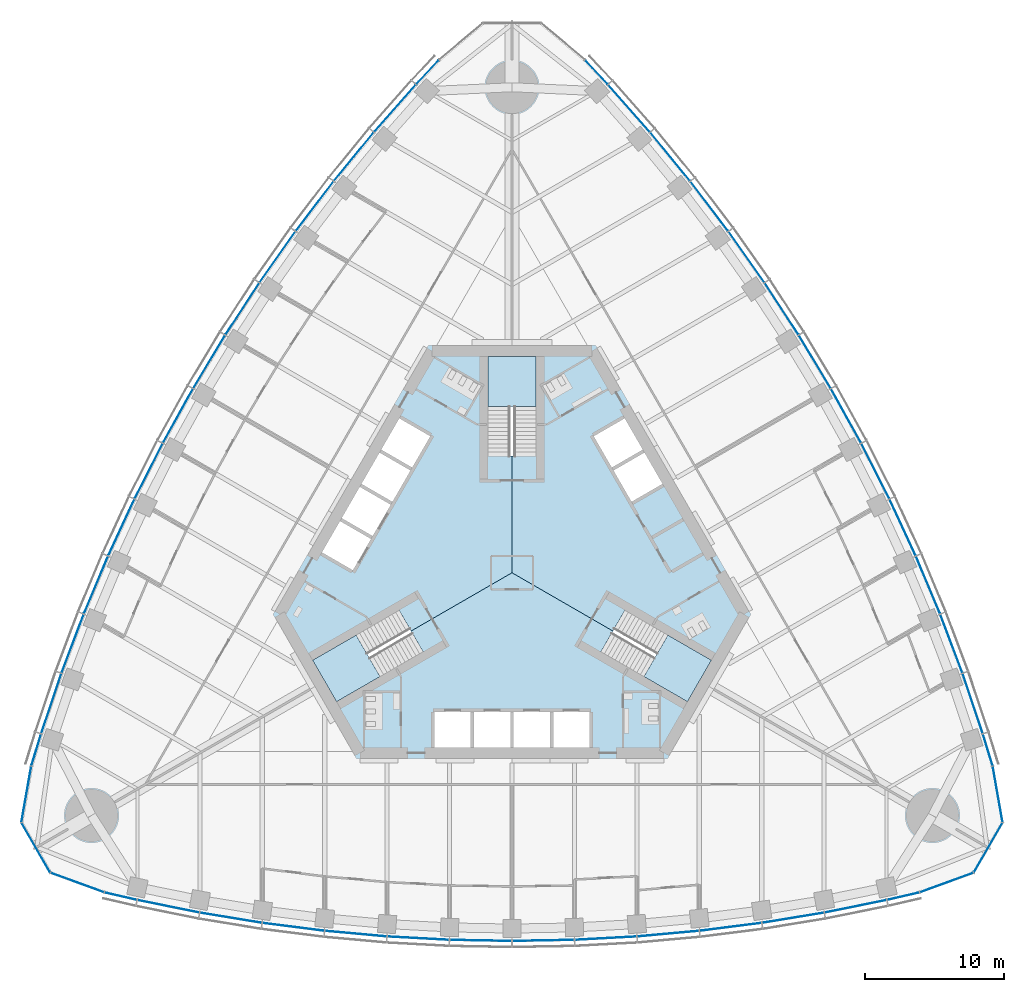
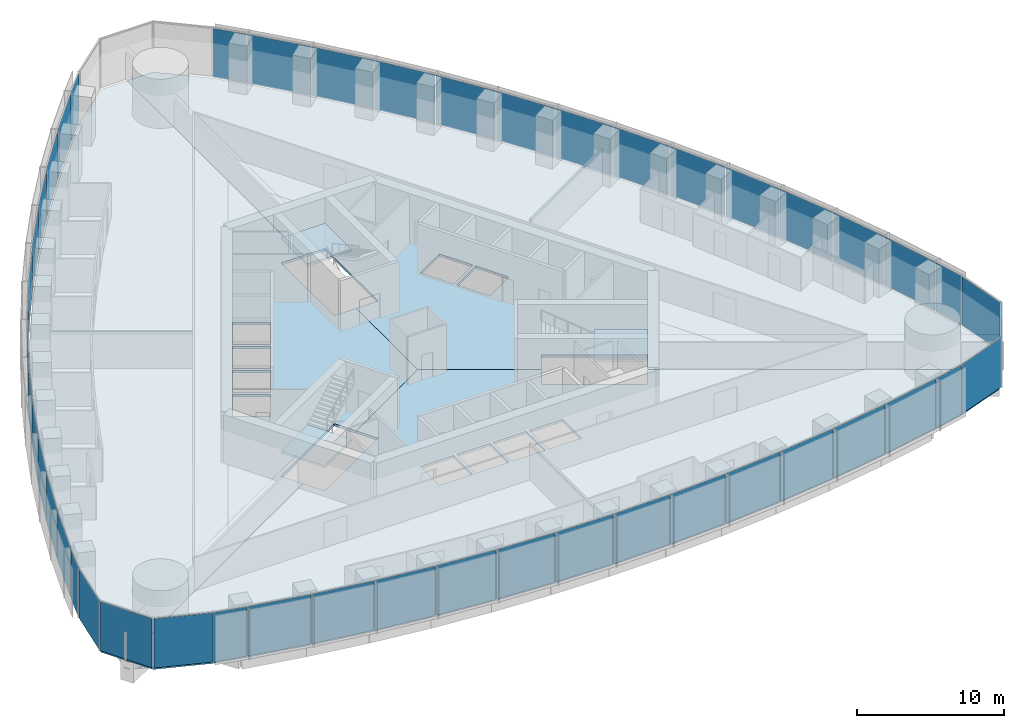
# One storey, part 10 of 19: 48 plates, 6 slabs, 8 elements without a shape of their own.
"""IFC4 building model written with IfcOpenShell, lengths in metres."""

from ifc_helpers import new_model, si_unit, direction, frame, origin, origin_2d, place, context, subcontext, project, spatial, polyline, rectangle, outline, extrude, material, layer, layer_set, type_object, element, aggregate, save


model = new_model("IFC4")

# Units and contexts
model_context = context("Model", 3, precision=1e-05, world=origin(), true_north=direction((0.0, 1.0)))
body_context = subcontext(model_context, "Body", "Model", "MODEL_VIEW")
ifc_project = project(units=[si_unit("LENGTHUNIT", "METRE"), si_unit("AREAUNIT", "SQUARE_METRE"), si_unit("VOLUMEUNIT", "CUBIC_METRE"), si_unit("PLANEANGLEUNIT", "RADIAN"), si_unit("MASSUNIT", "GRAM", prefix="KILO")], contexts=[model_context])

# Site, building, storey
site_placement = place(None, origin())
site = spatial("IfcSite", under=ifc_project, at=site_placement, CompositionType="ELEMENT")
building_placement = place(site_placement, origin())
building = spatial("IfcBuilding", under=site, at=building_placement, Name="Trefoil Bronze Tower", CompositionType="ELEMENT")
storey_placement = place(building_placement, frame((0.0, 0.0, 128.300048828125)))
storey = spatial("IfcBuildingStorey", under=building, at=storey_placement, Name="L29", CompositionType="ELEMENT", Elevation=128.300048828125)

# Curtain wall, plates
ifc_material_1 = material(Name="Tinted solar-control glass", Category="glass")
curtain_wall_type_1 = type_object("IfcCurtainWallType", Name="Bronze office curtain wall", PredefinedType="USERDEFINED", material=ifc_material_1)
curtain_wall_1_placement = place(storey_placement, origin())
curtain_wall_1 = element("IfcCurtainWall", 1, at=curtain_wall_1_placement, inside=storey, type_object=curtain_wall_type_1, Name="CW-A L29 F1", ObjectType="CURTAIN WALL", PredefinedType="USERDEFINED")
ifc_material_2 = material(Name="Tinted solar-control glass", Category="glass")
ifc_layer_1 = layer(ifc_material_2, 0.030029296875)
ifc_layer_set_1 = layer_set([ifc_layer_1], Name="Bronze office curtain wall glass panel")
plate_type_1 = type_object("IfcPlateType", Name="Bronze office curtain wall glass panel", PredefinedType="CURTAIN_PANEL", material=ifc_layer_set_1)
plate_1_placement = place(storey_placement, frame((-28.201416015625, -23.320068359375, 0.0), z_axis=(0.0, 0.0, 1.0), x_axis=(0.97420444715, -0.225667222151, 0.0)))
plate_1 = element("IfcPlate", 2, at=plate_1_placement, type_object=plate_type_1, Name="CW-A L29 F1 panel 1", PredefinedType="CURTAIN_PANEL", context=body_context, shape_type="SweptSolid", body=[
    extrude(rectangle(XDim=2.340087890625, YDim=0.030029296875, at=origin_2d()), origin(), (0.0, 0.0, 1.0), 4.080078125),
])
plate_2_placement = place(storey_placement, frame((-24.769775390625, -24.048828125, 0.0), z_axis=(0.0, 0.0, 1.0), x_axis=(0.980155155547, -0.198231861853, 0.0)))
plate_2 = element("IfcPlate", 3, at=plate_2_placement, type_object=plate_type_1, Name="CW-A L29 F1 panel 2", PredefinedType="CURTAIN_PANEL", context=body_context, shape_type="SweptSolid", body=[
    extrude(rectangle(XDim=4.51123046875, YDim=0.030029296875, at=origin_2d()), origin(), (0.0, 0.0, 1.0), 4.080078125),
])
plate_3_placement = place(storey_placement, frame((-20.26611328125, -24.87451171875, 0.0), z_axis=(0.0, 0.0, 1.0), x_axis=(0.986759655731, -0.162189339418, 0.0)))
plate_3 = element("IfcPlate", 4, at=plate_3_placement, type_object=plate_type_1, Name="CW-A L29 F1 panel 3", PredefinedType="CURTAIN_PANEL", context=body_context, shape_type="SweptSolid", body=[
    extrude(rectangle(XDim=4.48046875, YDim=0.030029296875, at=origin_2d()), origin(), (0.0, 0.0, 1.0), 4.080078125),
])
plate_4_placement = place(storey_placement, frame((-15.7626953125, -25.53076171875, 0.0), z_axis=(0.0, 0.0, 1.0), x_axis=(0.992011554286, -0.126147041833, 0.0)))
plate_4 = element("IfcPlate", 5, at=plate_4_placement, type_object=plate_type_1, Name="CW-A L29 F1 panel 4", PredefinedType="CURTAIN_PANEL", context=body_context, shape_type="SweptSolid", body=[
    extrude(rectangle(XDim=4.456298828125, YDim=0.030029296875, at=origin_2d()), origin(), (0.0, 0.0, 1.0), 4.080078125),
])
plate_5_placement = place(storey_placement, frame((-11.259033203125, -26.02099609375, 0.0), z_axis=(0.0, 0.0, 1.0), x_axis=(0.995932279146, -0.090104913044, 0.0)))
plate_5 = element("IfcPlate", 6, at=plate_5_placement, type_object=plate_type_1, Name="CW-A L29 F1 panel 5", PredefinedType="CURTAIN_PANEL", context=body_context, shape_type="SweptSolid", body=[
    extrude(rectangle(XDim=4.4384765625, YDim=0.030029296875, at=origin_2d()), origin(), (0.0, 0.0, 1.0), 4.080078125),
])
plate_6_placement = place(storey_placement, frame((-6.75537109375, -26.3466796875, 0.0), z_axis=(0.0, 0.0, 1.0), x_axis=(0.998537531923, -0.054062901701, 0.0)))
plate_6 = element("IfcPlate", 7, at=plate_6_placement, type_object=plate_type_1, Name="CW-A L29 F1 panel 6", PredefinedType="CURTAIN_PANEL", context=body_context, shape_type="SweptSolid", body=[
    extrude(rectangle(XDim=4.426513671875, YDim=0.030029296875, at=origin_2d()), origin(), (0.0, 0.0, 1.0), 4.080078125),
])
plate_7_placement = place(storey_placement, frame((-2.251708984375, -26.509033203125, 0.0), z_axis=(0.0, 0.0, 1.0), x_axis=(0.999837609322, -0.018020959612, 0.0)))
plate_7 = element("IfcPlate", 8, at=plate_7_placement, type_object=plate_type_1, Name="CW-A L29 F1 panel 7", PredefinedType="CURTAIN_PANEL", context=body_context, shape_type="SweptSolid", body=[
    extrude(rectangle(XDim=4.420654296875, YDim=0.030029296875, at=origin_2d()), origin(), (0.0, 0.0, 1.0), 4.080078125),
])
plate_8_placement = place(storey_placement, frame((2.251708984375, -26.509033203125, 0.0), z_axis=(0.0, 0.0, 1.0), x_axis=(0.999837609322, 0.018020959612, 0.0)))
plate_8 = element("IfcPlate", 9, at=plate_8_placement, type_object=plate_type_1, Name="CW-A L29 F1 panel 8", PredefinedType="CURTAIN_PANEL", context=body_context, shape_type="SweptSolid", body=[
    extrude(rectangle(XDim=4.420654296875, YDim=0.030029296875, at=origin_2d()), origin(), (0.0, 0.0, 1.0), 4.080078125),
])
plate_9_placement = place(storey_placement, frame((6.75537109375, -26.3466796875, 0.0), z_axis=(0.0, 0.0, 1.0), x_axis=(0.998537531923, 0.054062901701, 0.0)))
plate_9 = element("IfcPlate", 10, at=plate_9_placement, type_object=plate_type_1, Name="CW-A L29 F1 panel 9", PredefinedType="CURTAIN_PANEL", context=body_context, shape_type="SweptSolid", body=[
    extrude(rectangle(XDim=4.426513671875, YDim=0.030029296875, at=origin_2d()), origin(), (0.0, 0.0, 1.0), 4.080078125),
])
plate_10_placement = place(storey_placement, frame((11.259033203125, -26.02099609375, 0.0), z_axis=(0.0, 0.0, 1.0), x_axis=(0.995932279146, 0.090104913044, 0.0)))
plate_10 = element("IfcPlate", 11, at=plate_10_placement, type_object=plate_type_1, Name="CW-A L29 F1 panel 10", PredefinedType="CURTAIN_PANEL", context=body_context, shape_type="SweptSolid", body=[
    extrude(rectangle(XDim=4.4384765625, YDim=0.030029296875, at=origin_2d()), origin(), (0.0, 0.0, 1.0), 4.080078125),
])
plate_11_placement = place(storey_placement, frame((15.7626953125, -25.53076171875, 0.0), z_axis=(0.0, 0.0, 1.0), x_axis=(0.992011554286, 0.126147041833, 0.0)))
plate_11 = element("IfcPlate", 12, at=plate_11_placement, type_object=plate_type_1, Name="CW-A L29 F1 panel 11", PredefinedType="CURTAIN_PANEL", context=body_context, shape_type="SweptSolid", body=[
    extrude(rectangle(XDim=4.456298828125, YDim=0.030029296875, at=origin_2d()), origin(), (0.0, 0.0, 1.0), 4.080078125),
])
plate_12_placement = place(storey_placement, frame((20.26611328125, -24.87451171875, 0.0), z_axis=(0.0, 0.0, 1.0), x_axis=(0.986759655731, 0.162189339418, 0.0)))
plate_12 = element("IfcPlate", 13, at=plate_12_placement, type_object=plate_type_1, Name="CW-A L29 F1 panel 12", PredefinedType="CURTAIN_PANEL", context=body_context, shape_type="SweptSolid", body=[
    extrude(rectangle(XDim=4.48046875, YDim=0.030029296875, at=origin_2d()), origin(), (0.0, 0.0, 1.0), 4.080078125),
])
plate_13_placement = place(storey_placement, frame((24.769775390625, -24.048828125, 0.0), z_axis=(0.0, 0.0, 1.0), x_axis=(0.980155155547, 0.198231861853, 0.0)))
plate_13 = element("IfcPlate", 14, at=plate_13_placement, type_object=plate_type_1, Name="CW-A L29 F1 panel 13", PredefinedType="CURTAIN_PANEL", context=body_context, shape_type="SweptSolid", body=[
    extrude(rectangle(XDim=4.51123046875, YDim=0.030029296875, at=origin_2d()), origin(), (0.0, 0.0, 1.0), 4.080078125),
])
plate_14_placement = place(storey_placement, frame((28.201416015625, -23.320068359375, 0.0), z_axis=(0.0, 0.0, 1.0), x_axis=(0.97420444715, 0.225667222151, 0.0)))
plate_14 = element("IfcPlate", 15, at=plate_14_placement, type_object=plate_type_1, Name="CW-A L29 F1 panel 14", PredefinedType="CURTAIN_PANEL", context=body_context, shape_type="SweptSolid", body=[
    extrude(rectangle(XDim=2.340087890625, YDim=0.030029296875, at=origin_2d()), origin(), (0.0, 0.0, 1.0), 4.080078125),
])
aggregate(curtain_wall_1, [plate_1, plate_2, plate_3, plate_4, plate_5, plate_6, plate_7, plate_8, plate_9, plate_10, plate_11, plate_12, plate_13, plate_14])

curtain_wall_2_placement = place(storey_placement, origin())
curtain_wall_2 = element("IfcCurtainWall", 16, at=curtain_wall_2_placement, inside=storey, type_object=curtain_wall_type_1, Name="CW-A L29 F2", ObjectType="CURTAIN WALL", PredefinedType="USERDEFINED")
plate_15_placement = place(storey_placement, frame((34.296630859375, -12.762939453125, 0.0), z_axis=(0.0, 0.0, 1.0), x_axis=(-0.291668676391, 0.956519410787, 0.0)))
plate_15 = element("IfcPlate", 17, at=plate_15_placement, type_object=plate_type_1, Name="CW-A L29 F2 panel 1", PredefinedType="CURTAIN_PANEL", context=body_context, shape_type="SweptSolid", body=[
    extrude(rectangle(XDim=2.340087890625, YDim=0.030029296875, at=origin_2d()), origin(), (0.0, 0.0, 1.0), 4.080078125),
])
plate_16_placement = place(storey_placement, frame((33.2119140625, -9.4267578125, 0.0), z_axis=(0.0, 0.0, 1.0), x_axis=(-0.318403749569, 0.947955195281, 0.0)))
plate_16 = element("IfcPlate", 18, at=plate_16_placement, type_object=plate_type_1, Name="CW-A L29 F2 panel 2", PredefinedType="CURTAIN_PANEL", context=body_context, shape_type="SweptSolid", body=[
    extrude(rectangle(XDim=4.51123046875, YDim=0.030029296875, at=origin_2d()), origin(), (0.0, 0.0, 1.0), 4.080078125),
])
plate_17_placement = place(storey_placement, frame((31.675048828125, -5.11376953125, 0.0), z_axis=(0.0, 0.0, 1.0), x_axis=(-0.352919739707, 0.935653599002, 0.0)))
plate_17 = element("IfcPlate", 19, at=plate_17_placement, type_object=plate_type_1, Name="CW-A L29 F2 panel 3", PredefinedType="CURTAIN_PANEL", context=body_context, shape_type="SweptSolid", body=[
    extrude(rectangle(XDim=4.48046875, YDim=0.030029296875, at=origin_2d()), origin(), (0.0, 0.0, 1.0), 4.080078125),
])
plate_18_placement = place(storey_placement, frame((29.99169921875, -0.885498046875, 0.0), z_axis=(0.0, 0.0, 1.0), x_axis=(-0.386759234303, 0.922180727776, 0.0)))
plate_18 = element("IfcPlate", 20, at=plate_18_placement, type_object=plate_type_1, Name="CW-A L29 F2 panel 4", PredefinedType="CURTAIN_PANEL", context=body_context, shape_type="SweptSolid", body=[
    extrude(rectangle(XDim=4.456298828125, YDim=0.030029296875, at=origin_2d()), origin(), (0.0, 0.0, 1.0), 4.080078125),
])
plate_19_placement = place(storey_placement, frame((28.164306640625, 3.260009765625, 0.0), z_axis=(0.0, 0.0, 1.0), x_axis=(-0.419932995871, 0.907555110712, 0.0)))
plate_19 = element("IfcPlate", 21, at=plate_19_placement, type_object=plate_type_1, Name="CW-A L29 F2 panel 5", PredefinedType="CURTAIN_PANEL", context=body_context, shape_type="SweptSolid", body=[
    extrude(rectangle(XDim=4.4384765625, YDim=0.030029296875, at=origin_2d()), origin(), (0.0, 0.0, 1.0), 4.080078125),
])
plate_20_placement = place(storey_placement, frame((26.194580078125, 7.322998046875, 0.0), z_axis=(0.0, 0.0, 1.0), x_axis=(-0.452448919686, 0.891790320128, 0.0)))
plate_20 = element("IfcPlate", 22, at=plate_20_placement, type_object=plate_type_1, Name="CW-A L29 F2 panel 6", PredefinedType="CURTAIN_PANEL", context=body_context, shape_type="SweptSolid", body=[
    extrude(rectangle(XDim=4.426513671875, YDim=0.030029296875, at=origin_2d()), origin(), (0.0, 0.0, 1.0), 4.080078125),
])
plate_21_placement = place(storey_placement, frame((24.08349609375, 11.304443359375, 0.0), z_axis=(0.0, 0.0, 1.0), x_axis=(-0.484312195836, 0.874895249138, 0.0)))
plate_21 = element("IfcPlate", 23, at=plate_21_placement, type_object=plate_type_1, Name="CW-A L29 F2 panel 7", PredefinedType="CURTAIN_PANEL", context=body_context, shape_type="SweptSolid", body=[
    extrude(rectangle(XDim=4.420654296875, YDim=0.030029296875, at=origin_2d()), origin(), (0.0, 0.0, 1.0), 4.080078125),
])
plate_22_placement = place(storey_placement, frame((21.83154296875, 15.20458984375, 0.0), z_axis=(0.0, 0.0, 1.0), x_axis=(-0.515525413486, 0.856874289526, 0.0)))
plate_22 = element("IfcPlate", 24, at=plate_22_placement, type_object=plate_type_1, Name="CW-A L29 F2 panel 8", PredefinedType="CURTAIN_PANEL", context=body_context, shape_type="SweptSolid", body=[
    extrude(rectangle(XDim=4.420654296875, YDim=0.030029296875, at=origin_2d()), origin(), (0.0, 0.0, 1.0), 4.080078125),
])
plate_23_placement = place(storey_placement, frame((19.439208984375, 19.023681640625, 0.0), z_axis=(0.0, 0.0, 1.0), x_axis=(-0.546088612237, 0.837727418427, 0.0)))
plate_23 = element("IfcPlate", 25, at=plate_23_placement, type_object=plate_type_1, Name="CW-A L29 F2 panel 9", PredefinedType="CURTAIN_PANEL", context=body_context, shape_type="SweptSolid", body=[
    extrude(rectangle(XDim=4.426513671875, YDim=0.030029296875, at=origin_2d()), origin(), (0.0, 0.0, 1.0), 4.080078125),
])
plate_24_placement = place(storey_placement, frame((16.9052734375, 22.760986328125, 0.0), z_axis=(0.0, 0.0, 1.0), x_axis=(-0.575999283275, 0.817450197667, 0.0)))
plate_24 = element("IfcPlate", 26, at=plate_24_placement, type_object=plate_type_1, Name="CW-A L29 F2 panel 10", PredefinedType="CURTAIN_PANEL", context=body_context, shape_type="SweptSolid", body=[
    extrude(rectangle(XDim=4.4384765625, YDim=0.030029296875, at=origin_2d()), origin(), (0.0, 0.0, 1.0), 4.080078125),
])
plate_25_placement = place(storey_placement, frame((14.22900390625, 26.416259765625, 0.0), z_axis=(0.0, 0.0, 1.0), x_axis=(-0.605252319983, 0.796033685943, 0.0)))
plate_25 = element("IfcPlate", 27, at=plate_25_placement, type_object=plate_type_1, Name="CW-A L29 F2 panel 11", PredefinedType="CURTAIN_PANEL", context=body_context, shape_type="SweptSolid", body=[
    extrude(rectangle(XDim=4.456298828125, YDim=0.030029296875, at=origin_2d()), origin(), (0.0, 0.0, 1.0), 4.080078125),
])
plate_26_placement = place(storey_placement, frame((11.40869140625, 29.98828125, 0.0), z_axis=(0.0, 0.0, 1.0), x_axis=(-0.633839916024, 0.773464259584, 0.0)))
plate_26 = element("IfcPlate", 28, at=plate_26_placement, type_object=plate_type_1, Name="CW-A L29 F2 panel 12", PredefinedType="CURTAIN_PANEL", context=body_context, shape_type="SweptSolid", body=[
    extrude(rectangle(XDim=4.48046875, YDim=0.030029296875, at=origin_2d()), origin(), (0.0, 0.0, 1.0), 4.080078125),
])
plate_27_placement = place(storey_placement, frame((8.442138671875, 33.475830078125, 0.0), z_axis=(0.0, 0.0, 1.0), x_axis=(-0.661751405978, 0.749723333428, 0.0)))
plate_27 = element("IfcPlate", 29, at=plate_27_placement, type_object=plate_type_1, Name="CW-A L29 F2 panel 13", PredefinedType="CURTAIN_PANEL", context=body_context, shape_type="SweptSolid", body=[
    extrude(rectangle(XDim=4.51123046875, YDim=0.030029296875, at=origin_2d()), origin(), (0.0, 0.0, 1.0), 4.080078125),
])
plate_28_placement = place(storey_placement, frame((6.09521484375, 36.083251953125, 0.0), z_axis=(0.0, 0.0, 1.0), x_axis=(-0.682535770759, 0.730852188636, 0.0)))
plate_28 = element("IfcPlate", 30, at=plate_28_placement, type_object=plate_type_1, Name="CW-A L29 F2 panel 14", PredefinedType="CURTAIN_PANEL", context=body_context, shape_type="SweptSolid", body=[
    extrude(rectangle(XDim=2.340087890625, YDim=0.030029296875, at=origin_2d()), origin(), (0.0, 0.0, 1.0), 4.080078125),
])
aggregate(curtain_wall_2, [plate_15, plate_16, plate_17, plate_18, plate_19, plate_20, plate_21, plate_22, plate_23, plate_24, plate_25, plate_26, plate_27, plate_28])

curtain_wall_3_placement = place(storey_placement, origin())
curtain_wall_3 = element("IfcCurtainWall", 31, at=curtain_wall_3_placement, inside=storey, type_object=curtain_wall_type_1, Name="CW-A L29 F3", ObjectType="CURTAIN WALL", PredefinedType="USERDEFINED")
plate_29_placement = place(storey_placement, frame((-6.09521484375, 36.083251953125, 0.0), z_axis=(0.0, 0.0, 1.0), x_axis=(-0.682535770759, -0.730852188636, 0.0)))
plate_29 = element("IfcPlate", 32, at=plate_29_placement, type_object=plate_type_1, Name="CW-A L29 F3 panel 1", PredefinedType="CURTAIN_PANEL", context=body_context, shape_type="SweptSolid", body=[
    extrude(rectangle(XDim=2.340087890625, YDim=0.030029296875, at=origin_2d()), origin(), (0.0, 0.0, 1.0), 4.080078125),
])
plate_30_placement = place(storey_placement, frame((-8.442138671875, 33.475830078125, 0.0), z_axis=(0.0, 0.0, 1.0), x_axis=(-0.661751405978, -0.749723333428, 0.0)))
plate_30 = element("IfcPlate", 33, at=plate_30_placement, type_object=plate_type_1, Name="CW-A L29 F3 panel 2", PredefinedType="CURTAIN_PANEL", context=body_context, shape_type="SweptSolid", body=[
    extrude(rectangle(XDim=4.51123046875, YDim=0.030029296875, at=origin_2d()), origin(), (0.0, 0.0, 1.0), 4.080078125),
])
plate_31_placement = place(storey_placement, frame((-11.40869140625, 29.98828125, 0.0), z_axis=(0.0, 0.0, 1.0), x_axis=(-0.633839916024, -0.773464259584, 0.0)))
plate_31 = element("IfcPlate", 34, at=plate_31_placement, type_object=plate_type_1, Name="CW-A L29 F3 panel 3", PredefinedType="CURTAIN_PANEL", context=body_context, shape_type="SweptSolid", body=[
    extrude(rectangle(XDim=4.48046875, YDim=0.030029296875, at=origin_2d()), origin(), (0.0, 0.0, 1.0), 4.080078125),
])
plate_32_placement = place(storey_placement, frame((-14.22900390625, 26.416259765625, 0.0), z_axis=(0.0, 0.0, 1.0), x_axis=(-0.605252319983, -0.796033685943, 0.0)))
plate_32 = element("IfcPlate", 35, at=plate_32_placement, type_object=plate_type_1, Name="CW-A L29 F3 panel 4", PredefinedType="CURTAIN_PANEL", context=body_context, shape_type="SweptSolid", body=[
    extrude(rectangle(XDim=4.456298828125, YDim=0.030029296875, at=origin_2d()), origin(), (0.0, 0.0, 1.0), 4.080078125),
])
plate_33_placement = place(storey_placement, frame((-16.9052734375, 22.760986328125, 0.0), z_axis=(0.0, 0.0, 1.0), x_axis=(-0.575999283275, -0.817450197667, 0.0)))
plate_33 = element("IfcPlate", 36, at=plate_33_placement, type_object=plate_type_1, Name="CW-A L29 F3 panel 5", PredefinedType="CURTAIN_PANEL", context=body_context, shape_type="SweptSolid", body=[
    extrude(rectangle(XDim=4.4384765625, YDim=0.030029296875, at=origin_2d()), origin(), (0.0, 0.0, 1.0), 4.080078125),
])
plate_34_placement = place(storey_placement, frame((-19.439208984375, 19.023681640625, 0.0), z_axis=(0.0, 0.0, 1.0), x_axis=(-0.546088612237, -0.837727418427, 0.0)))
plate_34 = element("IfcPlate", 37, at=plate_34_placement, type_object=plate_type_1, Name="CW-A L29 F3 panel 6", PredefinedType="CURTAIN_PANEL", context=body_context, shape_type="SweptSolid", body=[
    extrude(rectangle(XDim=4.426513671875, YDim=0.030029296875, at=origin_2d()), origin(), (0.0, 0.0, 1.0), 4.080078125),
])
plate_35_placement = place(storey_placement, frame((-21.83154296875, 15.20458984375, 0.0), z_axis=(0.0, 0.0, 1.0), x_axis=(-0.515525413486, -0.856874289526, 0.0)))
plate_35 = element("IfcPlate", 38, at=plate_35_placement, type_object=plate_type_1, Name="CW-A L29 F3 panel 7", PredefinedType="CURTAIN_PANEL", context=body_context, shape_type="SweptSolid", body=[
    extrude(rectangle(XDim=4.420654296875, YDim=0.030029296875, at=origin_2d()), origin(), (0.0, 0.0, 1.0), 4.080078125),
])
plate_36_placement = place(storey_placement, frame((-24.08349609375, 11.304443359375, 0.0), z_axis=(0.0, 0.0, 1.0), x_axis=(-0.484312195836, -0.874895249138, 0.0)))
plate_36 = element("IfcPlate", 39, at=plate_36_placement, type_object=plate_type_1, Name="CW-A L29 F3 panel 8", PredefinedType="CURTAIN_PANEL", context=body_context, shape_type="SweptSolid", body=[
    extrude(rectangle(XDim=4.420654296875, YDim=0.030029296875, at=origin_2d()), origin(), (0.0, 0.0, 1.0), 4.080078125),
])
plate_37_placement = place(storey_placement, frame((-26.194580078125, 7.322998046875, 0.0), z_axis=(0.0, 0.0, 1.0), x_axis=(-0.452448919686, -0.891790320128, 0.0)))
plate_37 = element("IfcPlate", 40, at=plate_37_placement, type_object=plate_type_1, Name="CW-A L29 F3 panel 9", PredefinedType="CURTAIN_PANEL", context=body_context, shape_type="SweptSolid", body=[
    extrude(rectangle(XDim=4.426513671875, YDim=0.030029296875, at=origin_2d()), origin(), (0.0, 0.0, 1.0), 4.080078125),
])
plate_38_placement = place(storey_placement, frame((-28.164306640625, 3.260009765625, 0.0), z_axis=(0.0, 0.0, 1.0), x_axis=(-0.419932995871, -0.907555110712, 0.0)))
plate_38 = element("IfcPlate", 41, at=plate_38_placement, type_object=plate_type_1, Name="CW-A L29 F3 panel 10", PredefinedType="CURTAIN_PANEL", context=body_context, shape_type="SweptSolid", body=[
    extrude(rectangle(XDim=4.4384765625, YDim=0.030029296875, at=origin_2d()), origin(), (0.0, 0.0, 1.0), 4.080078125),
])
plate_39_placement = place(storey_placement, frame((-29.99169921875, -0.885498046875, 0.0), z_axis=(0.0, 0.0, 1.0), x_axis=(-0.386759234303, -0.922180727776, 0.0)))
plate_39 = element("IfcPlate", 42, at=plate_39_placement, type_object=plate_type_1, Name="CW-A L29 F3 panel 11", PredefinedType="CURTAIN_PANEL", context=body_context, shape_type="SweptSolid", body=[
    extrude(rectangle(XDim=4.456298828125, YDim=0.030029296875, at=origin_2d()), origin(), (0.0, 0.0, 1.0), 4.080078125),
])
plate_40_placement = place(storey_placement, frame((-31.675048828125, -5.11376953125, 0.0), z_axis=(0.0, 0.0, 1.0), x_axis=(-0.352919739707, -0.935653599002, 0.0)))
plate_40 = element("IfcPlate", 43, at=plate_40_placement, type_object=plate_type_1, Name="CW-A L29 F3 panel 12", PredefinedType="CURTAIN_PANEL", context=body_context, shape_type="SweptSolid", body=[
    extrude(rectangle(XDim=4.48046875, YDim=0.030029296875, at=origin_2d()), origin(), (0.0, 0.0, 1.0), 4.080078125),
])
plate_41_placement = place(storey_placement, frame((-33.2119140625, -9.4267578125, 0.0), z_axis=(0.0, 0.0, 1.0), x_axis=(-0.318403749569, -0.947955195281, 0.0)))
plate_41 = element("IfcPlate", 44, at=plate_41_placement, type_object=plate_type_1, Name="CW-A L29 F3 panel 13", PredefinedType="CURTAIN_PANEL", context=body_context, shape_type="SweptSolid", body=[
    extrude(rectangle(XDim=4.51123046875, YDim=0.030029296875, at=origin_2d()), origin(), (0.0, 0.0, 1.0), 4.080078125),
])
plate_42_placement = place(storey_placement, frame((-34.296630859375, -12.762939453125, 0.0), z_axis=(0.0, 0.0, 1.0), x_axis=(-0.291668676391, -0.956519410787, 0.0)))
plate_42 = element("IfcPlate", 45, at=plate_42_placement, type_object=plate_type_1, Name="CW-A L29 F3 panel 14", PredefinedType="CURTAIN_PANEL", context=body_context, shape_type="SweptSolid", body=[
    extrude(rectangle(XDim=2.340087890625, YDim=0.030029296875, at=origin_2d()), origin(), (0.0, 0.0, 1.0), 4.080078125),
])
aggregate(curtain_wall_3, [plate_29, plate_30, plate_31, plate_32, plate_33, plate_34, plate_35, plate_36, plate_37, plate_38, plate_39, plate_40, plate_41, plate_42])

ifc_material_3 = material(Name="Tinted solar-control glass", Category="glass")
curtain_wall_type_2 = type_object("IfcCurtainWallType", Name="Bronze rounded corner curtain wall", PredefinedType="USERDEFINED", material=ifc_material_3)
curtain_wall_4_placement = place(storey_placement, origin())
curtain_wall_4 = element("IfcCurtainWall", 46, at=curtain_wall_4_placement, inside=storey, type_object=curtain_wall_type_2, Name="CW-B L29 K1", ObjectType="CURTAIN WALL", PredefinedType="USERDEFINED")
ifc_material_4 = material(Name="Tinted solar-control glass", Category="glass")
ifc_layer_2 = layer(ifc_material_4, 0.030029296875)
ifc_layer_set_2 = layer_set([ifc_layer_2], Name="Bronze rounded corner curtain wall glass panel")
plate_type_2 = type_object("IfcPlateType", Name="Bronze rounded corner curtain wall glass panel", PredefinedType="CURTAIN_PANEL", material=ifc_layer_set_2)
plate_43_placement = place(storey_placement, frame((31.3203125, -22.341796875, 0.0), z_axis=(0.0, 0.0, 1.0), x_axis=(0.939692620786, 0.342020143326, 0.0)))
plate_43 = element("IfcPlate", 47, at=plate_43_placement, type_object=plate_type_2, Name="CW-B L29 K1 panel 1", PredefinedType="CURTAIN_PANEL", context=body_context, shape_type="SweptSolid", body=[
    extrude(rectangle(XDim=4.044189453125, YDim=0.030029296875, at=origin_2d()), origin(), (0.0, 0.0, 1.0), 4.080078125),
])
plate_44_placement = place(storey_placement, frame((34.3271484375, -19.81884765625, 0.0), z_axis=(0.0, 0.0, 1.0), x_axis=(0.5, 0.866025403784, 0.0)))
plate_44 = element("IfcPlate", 48, at=plate_44_placement, type_object=plate_type_2, Name="CW-B L29 K1 panel 2", PredefinedType="CURTAIN_PANEL", context=body_context, shape_type="SweptSolid", body=[
    extrude(rectangle(XDim=4.044189453125, YDim=0.030029296875, at=origin_2d()), origin(), (0.0, 0.0, 1.0), 4.080078125),
])
plate_45_placement = place(storey_placement, frame((35.0087890625, -15.953369140625, 0.0), z_axis=(0.0, 0.0, 1.0), x_axis=(-0.173648177667, 0.984807753012, 0.0)))
plate_45 = element("IfcPlate", 49, at=plate_45_placement, type_object=plate_type_2, Name="CW-B L29 K1 panel 3", PredefinedType="CURTAIN_PANEL", context=body_context, shape_type="SweptSolid", body=[
    extrude(rectangle(XDim=4.044189453125, YDim=0.030029296875, at=origin_2d()), origin(), (0.0, 0.0, 1.0), 4.080078125),
])
aggregate(curtain_wall_4, [plate_43, plate_44, plate_45])

curtain_wall_5_placement = place(storey_placement, origin())
curtain_wall_5 = element("IfcCurtainWall", 50, at=curtain_wall_5_placement, inside=storey, type_object=curtain_wall_type_2, Name="CW-B L29 K3", ObjectType="CURTAIN WALL", PredefinedType="USERDEFINED")
plate_46_placement = place(storey_placement, frame((-35.0087890625, -15.953369140625, 0.0), z_axis=(0.0, 0.0, 1.0), x_axis=(-0.173648177667, -0.984807753012, 0.0)))
plate_46 = element("IfcPlate", 51, at=plate_46_placement, type_object=plate_type_2, Name="CW-B L29 K3 panel 1", PredefinedType="CURTAIN_PANEL", context=body_context, shape_type="SweptSolid", body=[
    extrude(rectangle(XDim=4.044189453125, YDim=0.030029296875, at=origin_2d()), origin(), (0.0, 0.0, 1.0), 4.080078125),
])
plate_47_placement = place(storey_placement, frame((-34.3271484375, -19.81884765625, 0.0), z_axis=(0.0, 0.0, 1.0), x_axis=(0.5, -0.866025403784, 0.0)))
plate_47 = element("IfcPlate", 52, at=plate_47_placement, type_object=plate_type_2, Name="CW-B L29 K3 panel 2", PredefinedType="CURTAIN_PANEL", context=body_context, shape_type="SweptSolid", body=[
    extrude(rectangle(XDim=4.044189453125, YDim=0.030029296875, at=origin_2d()), origin(), (0.0, 0.0, 1.0), 4.080078125),
])
plate_48_placement = place(storey_placement, frame((-31.3203125, -22.341796875, 0.0), z_axis=(0.0, 0.0, 1.0), x_axis=(0.939692620786, -0.342020143326, 0.0)))
plate_48 = element("IfcPlate", 53, at=plate_48_placement, type_object=plate_type_2, Name="CW-B L29 K3 panel 3", PredefinedType="CURTAIN_PANEL", context=body_context, shape_type="SweptSolid", body=[
    extrude(rectangle(XDim=4.044189453125, YDim=0.030029296875, at=origin_2d()), origin(), (0.0, 0.0, 1.0), 4.080078125),
])
aggregate(curtain_wall_5, [plate_46, plate_47, plate_48])

# Slabs
ifc_material_5 = material(Name="Concrete B30", Category="concrete")
ifc_layer_3 = layer(ifc_material_5, 0.199951171875)
ifc_layer_set_3 = layer_set([ifc_layer_3], Name="Floor slab 200")
slab_type_1 = type_object("IfcSlabType", Name="Floor slab 200", PredefinedType="FLOOR", material=ifc_layer_set_3)
slab_1_placement = place(storey_placement, frame((0.0, 0.0, -0.199951171875)))
element("IfcSlab", 54, at=slab_1_placement, inside=storey, type_object=slab_type_1, Name="Floor slab L29 face 1", PredefinedType="FLOOR", context=body_context, shape_type="SweptSolid", body=[
    extrude(outline(polyline([(22.5, -24.406005859375), (18.0, -25.1455078125), (13.5, -25.7177734375), (9.0, -26.125), (4.5, -26.36865234375), (0.0, -26.44970703125), (-4.5, -26.36865234375), (-9.0, -26.125), (-13.5, -25.7177734375), (-18.0, -25.1455078125), (-22.5, -24.406005859375), (-27.0, -23.495849609375), (-29.357666015625, -22.94970703125), (-33.21435546875, -21.5458984375), (-34.240478515625, -19.768798828125), (-13.510009765625, -7.800048828125), (-12.6474609375, -9.2939453125), (-6.412109375, -5.69384765625), (-7.274658203125, -4.199951171875), (0.0, 0.0), (7.274658203125, -4.199951171875), (6.412109375, -5.69384765625), (12.6474609375, -9.2939453125), (13.510009765625, -7.800048828125), (34.240478515625, -19.768798828125), (33.21435546875, -21.5458984375), (29.357666015625, -22.94970703125), (27.0, -23.495849609375), (22.5, -24.406005859375)]), holes=[polyline([(-5.574951171875, -10.02490234375), (-2.97509765625, -10.02490234375), (-2.97509765625, -12.60009765625), (-5.574951171875, -12.60009765625), (-5.574951171875, -10.02490234375)]), polyline([(-2.72509765625, -10.02490234375), (-0.125, -10.02490234375), (-0.125, -12.60009765625), (-2.72509765625, -12.60009765625), (-2.72509765625, -10.02490234375)]), polyline([(0.125, -10.02490234375), (2.72509765625, -10.02490234375), (2.72509765625, -12.60009765625), (0.125, -12.60009765625), (0.125, -10.02490234375)]), polyline([(2.97509765625, -10.02490234375), (5.574951171875, -10.02490234375), (5.574951171875, -12.60009765625), (2.97509765625, -12.60009765625), (2.97509765625, -10.02490234375)])]), origin(), (0.0, 0.0, 1.0), 0.199951171875),
])
slab_2_placement = place(storey_placement, frame((0.0, 0.0, -0.199951171875)))
element("IfcSlab", 55, at=slab_2_placement, inside=storey, type_object=slab_type_1, Name="Floor slab L29 face 2", PredefinedType="FLOOR", context=body_context, shape_type="SweptSolid", body=[
    extrude(outline(polyline([(9.88623046875, 31.6884765625), (12.776611328125, 28.1611328125), (15.522216796875, 24.55029296875), (18.124755859375, 20.856689453125), (20.5859375, 17.081298828125), (22.906005859375, 13.224853515625), (25.0859375, 9.287109375), (27.124755859375, 5.268310546875), (29.022216796875, 1.16748046875), (30.776611328125, -3.015625), (32.38623046875, -7.28271484375), (33.847900390625, -11.634765625), (34.553955078125, -13.94970703125), (35.2666015625, -17.991455078125), (34.240478515625, -19.768798828125), (13.510009765625, -7.800048828125), (14.37255859375, -6.30615234375), (8.13720703125, -2.7060546875), (7.274658203125, -4.199951171875), (0.0, 0.0), (0.0, 8.39990234375), (1.72509765625, 8.39990234375), (1.72509765625, 15.60009765625), (0.0, 15.60009765625), (0.0, 39.53759765625), (2.052001953125, 39.53759765625), (5.196044921875, 36.8994140625), (6.847900390625, 35.130615234375), (9.88623046875, 31.6884765625)]), holes=[polyline([(8.619384765625, 5.120849609375), (7.3193359375, 7.372314453125), (9.54931640625, 8.659912109375), (10.849365234375, 6.408203125), (8.619384765625, 5.120849609375)]), polyline([(7.1943359375, 7.5888671875), (5.894287109375, 9.840576171875), (8.12451171875, 11.128173828125), (9.42431640625, 8.87646484375), (7.1943359375, 7.5888671875)])]), origin(), (0.0, 0.0, 1.0), 0.199951171875),
])
slab_3_placement = place(storey_placement, frame((0.0, 0.0, -0.199951171875)))
element("IfcSlab", 56, at=slab_3_placement, inside=storey, type_object=slab_type_1, Name="Floor slab L29 face 3", PredefinedType="FLOOR", context=body_context, shape_type="SweptSolid", body=[
    extrude(outline(polyline([(-32.38623046875, -7.28271484375), (-30.776611328125, -3.015625), (-29.022216796875, 1.16748046875), (-27.124755859375, 5.268310546875), (-25.0859375, 9.287109375), (-22.906005859375, 13.224853515625), (-20.5859375, 17.081298828125), (-18.124755859375, 20.856689453125), (-15.522216796875, 24.55029296875), (-12.776611328125, 28.1611328125), (-9.88623046875, 31.6884765625), (-6.847900390625, 35.130615234375), (-5.196044921875, 36.8994140625), (-2.052001953125, 39.53759765625), (0.0, 39.53759765625), (0.0, 15.60009765625), (-1.72509765625, 15.60009765625), (-1.72509765625, 8.39990234375), (0.0, 8.39990234375), (0.0, 0.0), (-7.274658203125, -4.199951171875), (-8.13720703125, -2.7060546875), (-14.37255859375, -6.30615234375), (-13.510009765625, -7.800048828125), (-34.240478515625, -19.768798828125), (-35.2666015625, -17.991455078125), (-34.553955078125, -13.94970703125), (-33.847900390625, -11.634765625), (-32.38623046875, -7.28271484375)]), holes=[polyline([(-5.894287109375, 9.840576171875), (-7.1943359375, 7.5888671875), (-9.42431640625, 8.87646484375), (-8.12451171875, 11.128173828125), (-5.894287109375, 9.840576171875)]), polyline([(-7.3193359375, 7.372314453125), (-8.619384765625, 5.120849609375), (-10.849365234375, 6.408203125), (-9.54931640625, 8.659912109375), (-7.3193359375, 7.372314453125)]), polyline([(-8.744384765625, 4.904296875), (-10.04443359375, 2.652587890625), (-12.2744140625, 3.940185546875), (-10.974365234375, 6.191650390625), (-8.744384765625, 4.904296875)]), polyline([(-10.16943359375, 2.43603515625), (-11.469482421875, 0.184326171875), (-13.699462890625, 1.471923828125), (-12.3994140625, 3.7236328125), (-10.16943359375, 2.43603515625)])]), origin(), (0.0, 0.0, 1.0), 0.199951171875),
])

# Stair, slab
ifc_material_6 = material(Name="Precast concrete B80", Category="concrete")
stair_type = type_object("IfcStairType", Name="Exit stair 26 risers", PredefinedType="HALF_TURN_STAIR", material=ifc_material_6)
stair_1_placement = place(storey_placement, origin())
stair_1 = element("IfcStair", 57, at=stair_1_placement, inside=storey, type_object=stair_type, Name="Stair ST1 L29", PredefinedType="HALF_TURN_STAIR")
ifc_material_7 = material(Name="Concrete B30", Category="concrete")
ifc_layer_4 = layer(ifc_material_7, 0.199951171875)
ifc_layer_set_4 = layer_set([ifc_layer_4], Name="Stair landing 200")
slab_type_2 = type_object("IfcSlabType", Name="Stair landing 200", PredefinedType="LANDING", material=ifc_layer_set_4)
slab_4_placement = place(storey_placement, frame((0.0, 0.0, 1.89990234375)))
slab_4 = element("IfcSlab", 58, at=slab_4_placement, type_object=slab_type_2, Name="ST1 landing 1", PredefinedType="LANDING", context=body_context, shape_type="SweptSolid", body=[
    extrude(outline(polyline([(9.512451171875, -7.48388671875), (12.6474609375, -9.2939453125), (14.37255859375, -6.30615234375), (11.237548828125, -4.49609375), (9.512451171875, -7.48388671875)])), origin(), (0.0, 0.0, 1.0), 0.199951171875),
])
aggregate(stair_1, [slab_4])

stair_2_placement = place(storey_placement, origin())
stair_2 = element("IfcStair", 59, at=stair_2_placement, inside=storey, type_object=stair_type, Name="Stair ST2 L29", PredefinedType="HALF_TURN_STAIR")
slab_5_placement = place(storey_placement, frame((0.0, 0.0, 1.89990234375)))
slab_5 = element("IfcSlab", 60, at=slab_5_placement, type_object=slab_type_2, Name="ST2 landing 1", PredefinedType="LANDING", context=body_context, shape_type="SweptSolid", body=[
    extrude(outline(polyline([(1.72509765625, 11.97998046875), (1.72509765625, 15.60009765625), (-1.72509765625, 15.60009765625), (-1.72509765625, 11.97998046875), (1.72509765625, 11.97998046875)])), origin(), (0.0, 0.0, 1.0), 0.199951171875),
])
aggregate(stair_2, [slab_5])

stair_3_placement = place(storey_placement, origin())
stair_3 = element("IfcStair", 61, at=stair_3_placement, inside=storey, type_object=stair_type, Name="Stair ST3 L29", PredefinedType="HALF_TURN_STAIR")
slab_6_placement = place(storey_placement, frame((0.0, 0.0, 1.89990234375)))
slab_6 = element("IfcSlab", 62, at=slab_6_placement, type_object=slab_type_2, Name="ST3 landing 1", PredefinedType="LANDING", context=body_context, shape_type="SweptSolid", body=[
    extrude(outline(polyline([(-11.237548828125, -4.49609375), (-14.37255859375, -6.30615234375), (-12.6474609375, -9.2939453125), (-9.512451171875, -7.48388671875), (-11.237548828125, -4.49609375)])), origin(), (0.0, 0.0, 1.0), 0.199951171875),
])
aggregate(stair_3, [slab_6])

save(model, "model.ifc")
